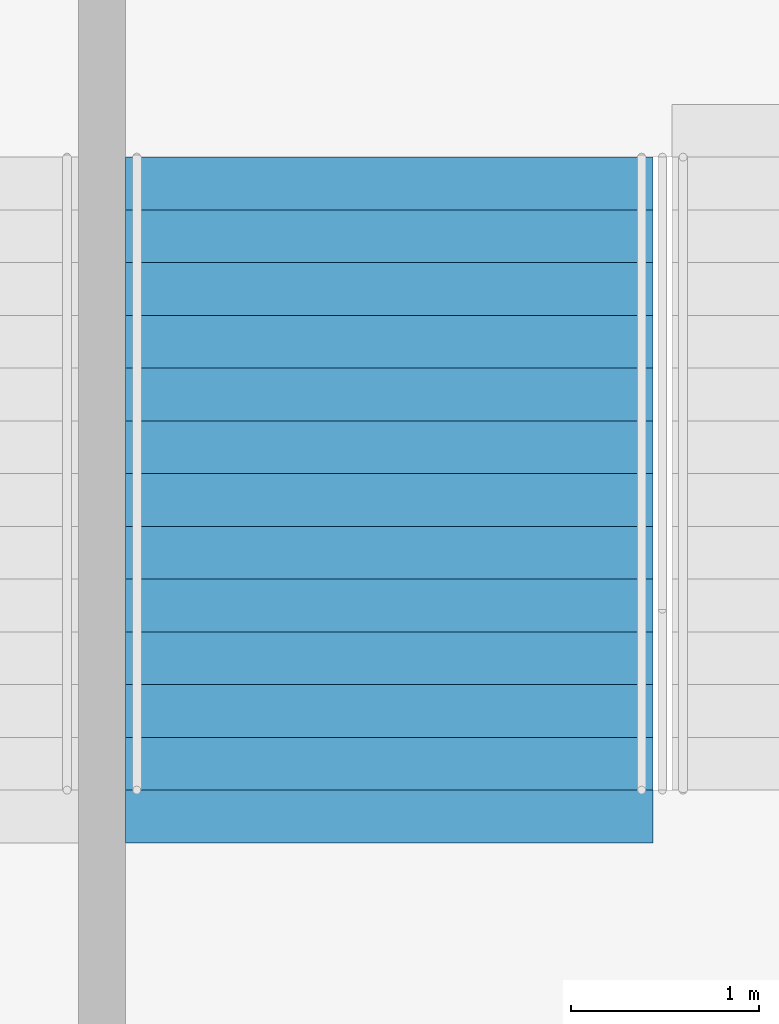
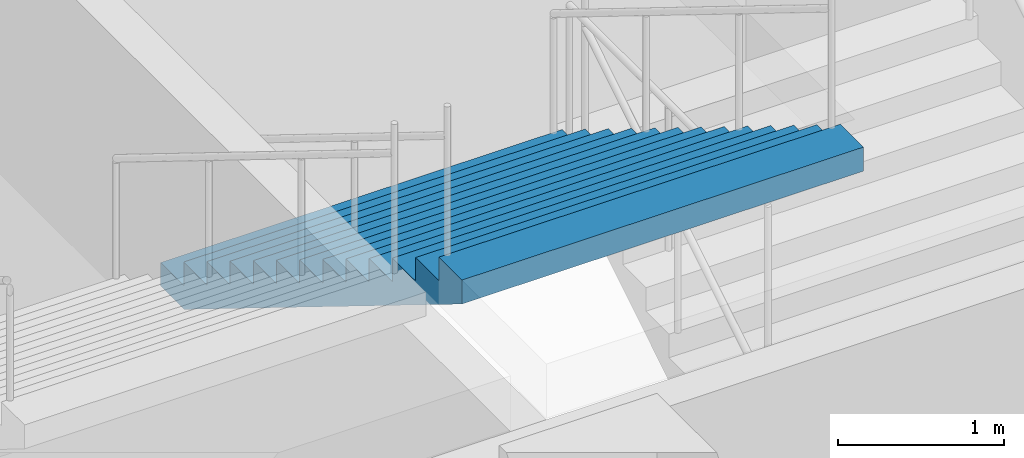
# One storey, part 172 of 199: 1 stair flight, 1 element without a shape of its own.
"""IFC4 building model written with IfcOpenShell, lengths in metres."""

from ifc_helpers import new_model, si_unit, direction, frame, origin, place, context, subcontext, project, spatial, faceted_brep, material, type_object, element, aggregate, save


model = new_model("IFC4")

# Units and contexts
model_context = context("Model", 3, precision=1e-05, world=origin(), true_north=direction((0.0, 1.0)))
body_context = subcontext(model_context, "Body", "Model", "MODEL_VIEW")
ifc_project = project(units=[si_unit("LENGTHUNIT", "METRE"), si_unit("AREAUNIT", "SQUARE_METRE"), si_unit("VOLUMEUNIT", "CUBIC_METRE"), si_unit("PLANEANGLEUNIT", "RADIAN"), si_unit("MASSUNIT", "GRAM", prefix="KILO")], contexts=[model_context])

# Site, building, storey
site_placement = place(None, origin())
site = spatial("IfcSite", under=ifc_project, at=site_placement, CompositionType="ELEMENT")
building_placement = place(site_placement, origin())
building = spatial("IfcBuilding", under=site, at=building_placement, Name="Ogive Plaza Stadium", CompositionType="ELEMENT")
storey_placement = place(building_placement, frame((0.0, 0.0, 4.5)))
storey = spatial("IfcBuildingStorey", under=building, at=storey_placement, Name="L01", CompositionType="ELEMENT", Elevation=4.5)

# Stair, stair flight
ifc_material_1 = material(Name="Concrete C40/50", Category="concrete")
stair_type = type_object("IfcStairType", Name="Exit stair", PredefinedType="STRAIGHT_RUN_STAIR", material=ifc_material_1)
stair_placement = place(storey_placement, origin())
stair = element("IfcStair", 1, at=stair_placement, inside=storey, type_object=stair_type, Name="Exit stair ST36A L01 to L02", PredefinedType="STRAIGHT_RUN_STAIR")
ifc_material_2 = material(Name="Concrete C40/50", Category="concrete")
stair_flight_type = type_object("IfcStairFlightType", Name="Exit stair flight", PredefinedType="STRAIGHT", material=ifc_material_2)
stair_flight_placement = place(storey_placement, frame((21.925048828125, 98.2099609375, 2.25), z_axis=(0.0, 0.0, 1.0), x_axis=(0.0, -1.0, 0.0)))
stair_flight = element("IfcStairFlight", 2, at=stair_flight_placement, type_object=stair_flight_type, Name="ST36A flight 2", NumberOfRisers=13, NumberOfTreads=12, PredefinedType="STRAIGHT", RiserHeight=0.173076923, TreadLength=0.28, context=body_context, shape_type="Brep", body=[
    faceted_brep([(0.28515625, -1.39990234375, 0.0), (3.639892578125, -1.39990234375, 2.07373046875), (3.639892578125, -1.39990234375, 2.25), (3.360107421875, -1.39990234375, 2.25), (3.360107421875, -1.39990234375, 2.076904296875), (3.080078125, -1.39990234375, 2.076904296875), (3.080078125, -1.39990234375, 1.90380859375), (2.800048828125, -1.39990234375, 1.90380859375), (2.800048828125, -1.39990234375, 1.730712890625), (2.52001953125, -1.39990234375, 1.730712890625), (2.52001953125, -1.39990234375, 1.5576171875), (2.239990234375, -1.39990234375, 1.5576171875), (2.239990234375, -1.39990234375, 1.384521484375), (1.9599609375, -1.39990234375, 1.384521484375), (1.9599609375, -1.39990234375, 1.21142578125), (1.679931640625, -1.39990234375, 1.21142578125), (1.679931640625, -1.39990234375, 1.03857421875), (1.39990234375, -1.39990234375, 1.03857421875), (1.39990234375, -1.39990234375, 0.865478515625), (1.1201171875, -1.39990234375, 0.865478515625), (1.1201171875, -1.39990234375, 0.6923828125), (0.840087890625, -1.39990234375, 0.6923828125), (0.840087890625, -1.39990234375, 0.519287109375), (0.56005859375, -1.39990234375, 0.519287109375), (0.56005859375, -1.39990234375, 0.34619140625), (0.280029296875, -1.39990234375, 0.34619140625), (0.280029296875, -1.39990234375, 0.173095703125), (0.0, -1.39990234375, 0.173095703125), (0.0, -1.39990234375, 0.0), (0.0, 1.39990234375, 0.0), (0.0, 1.39990234375, 0.173095703125), (0.280029296875, 1.39990234375, 0.173095703125), (0.280029296875, 1.39990234375, 0.34619140625), (0.56005859375, 1.39990234375, 0.34619140625), (0.56005859375, 1.39990234375, 0.519287109375), (0.840087890625, 1.39990234375, 0.519287109375), (0.840087890625, 1.39990234375, 0.6923828125), (1.1201171875, 1.39990234375, 0.6923828125), (1.1201171875, 1.39990234375, 0.865478515625), (1.39990234375, 1.39990234375, 0.865478515625), (1.39990234375, 1.39990234375, 1.03857421875), (1.679931640625, 1.39990234375, 1.03857421875), (1.679931640625, 1.39990234375, 1.21142578125), (1.9599609375, 1.39990234375, 1.21142578125), (1.9599609375, 1.39990234375, 1.384521484375), (2.239990234375, 1.39990234375, 1.384521484375), (2.239990234375, 1.39990234375, 1.5576171875), (2.52001953125, 1.39990234375, 1.5576171875), (2.52001953125, 1.39990234375, 1.730712890625), (2.800048828125, 1.39990234375, 1.730712890625), (2.800048828125, 1.39990234375, 1.90380859375), (3.080078125, 1.39990234375, 1.90380859375), (3.080078125, 1.39990234375, 2.076904296875), (3.360107421875, 1.39990234375, 2.076904296875), (3.360107421875, 1.39990234375, 2.25), (3.639892578125, 1.39990234375, 2.25), (3.639892578125, 1.39990234375, 2.07373046875), (0.28515625, 1.39990234375, 0.0), (0.28515625, -1.0888671875, 0.0), (3.639892578125, -1.0888671875, 2.07373046875), (0.28515625, -0.77783203125, 0.0), (3.639892578125, -0.77783203125, 2.07373046875), (0.28515625, -0.466796875, 0.0), (3.639892578125, -0.466796875, 2.07373046875), (0.28515625, -0.155517578125, 0.0), (3.639892578125, -0.155517578125, 2.07373046875), (0.28515625, 0.155517578125, 0.0), (3.639892578125, 0.155517578125, 2.07373046875), (0.28515625, 0.466796875, 0.0), (3.639892578125, 0.466796875, 2.07373046875), (0.28515625, 0.77783203125, 0.0), (3.639892578125, 0.77783203125, 2.07373046875), (0.28515625, 1.0888671875, 0.0), (3.639892578125, 1.0888671875, 2.07373046875), (3.639892578125, -1.0888671875, 2.25), (3.639892578125, -0.77783203125, 2.25), (3.639892578125, -0.466796875, 2.25), (3.639892578125, -0.155517578125, 2.25), (3.639892578125, 0.155517578125, 2.25), (3.639892578125, 0.466796875, 2.25), (3.639892578125, 0.77783203125, 2.25), (3.639892578125, 1.0888671875, 2.25), (3.360107421875, -1.0888671875, 2.25), (3.360107421875, -0.77783203125, 2.25), (3.360107421875, -0.466796875, 2.25), (3.360107421875, -0.155517578125, 2.25), (3.360107421875, 0.155517578125, 2.25), (3.360107421875, 0.466796875, 2.25), (3.360107421875, 0.77783203125, 2.25), (3.360107421875, 1.0888671875, 2.25), (3.360107421875, -1.0888671875, 2.076904296875), (3.360107421875, -0.77783203125, 2.076904296875), (3.360107421875, -0.466796875, 2.076904296875), (3.360107421875, -0.155517578125, 2.076904296875), (3.360107421875, 0.155517578125, 2.076904296875), (3.360107421875, 0.466796875, 2.076904296875), (3.360107421875, 0.77783203125, 2.076904296875), (3.360107421875, 1.0888671875, 2.076904296875), (3.080078125, -1.0888671875, 2.076904296875), (3.080078125, -0.77783203125, 2.076904296875), (3.080078125, -0.466796875, 2.076904296875), (3.080078125, -0.155517578125, 2.076904296875), (3.080078125, 0.155517578125, 2.076904296875), (3.080078125, 0.466796875, 2.076904296875), (3.080078125, 0.77783203125, 2.076904296875), (3.080078125, 1.0888671875, 2.076904296875), (3.080078125, -1.0888671875, 1.90380859375), (3.080078125, -0.77783203125, 1.90380859375), (3.080078125, -0.466796875, 1.90380859375), (3.080078125, -0.155517578125, 1.90380859375), (3.080078125, 0.155517578125, 1.90380859375), (3.080078125, 0.466796875, 1.90380859375), (3.080078125, 0.77783203125, 1.90380859375), (3.080078125, 1.0888671875, 1.90380859375), (2.800048828125, -1.0888671875, 1.90380859375), (2.800048828125, -0.77783203125, 1.90380859375), (2.800048828125, -0.466796875, 1.90380859375), (2.800048828125, -0.155517578125, 1.90380859375), (2.800048828125, 0.155517578125, 1.90380859375), (2.800048828125, 0.466796875, 1.90380859375), (2.800048828125, 0.77783203125, 1.90380859375), (2.800048828125, 1.0888671875, 1.90380859375), (2.800048828125, -1.0888671875, 1.730712890625), (2.800048828125, -0.77783203125, 1.730712890625), (2.800048828125, -0.466796875, 1.730712890625), (2.800048828125, -0.155517578125, 1.730712890625), (2.800048828125, 0.155517578125, 1.730712890625), (2.800048828125, 0.466796875, 1.730712890625), (2.800048828125, 0.77783203125, 1.730712890625), (2.800048828125, 1.0888671875, 1.730712890625), (2.52001953125, -1.0888671875, 1.730712890625), (2.52001953125, -0.77783203125, 1.730712890625), (2.52001953125, -0.466796875, 1.730712890625), (2.52001953125, -0.155517578125, 1.730712890625), (2.52001953125, 0.155517578125, 1.730712890625), (2.52001953125, 0.466796875, 1.730712890625), (2.52001953125, 0.77783203125, 1.730712890625), (2.52001953125, 1.0888671875, 1.730712890625), (2.52001953125, -1.0888671875, 1.5576171875), (2.52001953125, -0.77783203125, 1.5576171875), (2.52001953125, -0.466796875, 1.5576171875), (2.52001953125, -0.155517578125, 1.5576171875), (2.52001953125, 0.155517578125, 1.5576171875), (2.52001953125, 0.466796875, 1.5576171875), (2.52001953125, 0.77783203125, 1.5576171875), (2.52001953125, 1.0888671875, 1.5576171875), (2.239990234375, -1.0888671875, 1.5576171875), (2.239990234375, -0.77783203125, 1.5576171875), (2.239990234375, -0.466796875, 1.5576171875), (2.239990234375, -0.155517578125, 1.5576171875), (2.239990234375, 0.155517578125, 1.5576171875), (2.239990234375, 0.466796875, 1.5576171875), (2.239990234375, 0.77783203125, 1.5576171875), (2.239990234375, 1.0888671875, 1.5576171875), (2.239990234375, -1.0888671875, 1.384521484375), (2.239990234375, -0.77783203125, 1.384521484375), (2.239990234375, -0.466796875, 1.384521484375), (2.239990234375, -0.155517578125, 1.384521484375), (2.239990234375, 0.155517578125, 1.384521484375), (2.239990234375, 0.466796875, 1.384521484375), (2.239990234375, 0.77783203125, 1.384521484375), (2.239990234375, 1.0888671875, 1.384521484375), (1.9599609375, -1.0888671875, 1.384521484375), (1.9599609375, -0.77783203125, 1.384521484375), (1.9599609375, -0.466796875, 1.384521484375), (1.9599609375, -0.155517578125, 1.384521484375), (1.9599609375, 0.155517578125, 1.384521484375), (1.9599609375, 0.466796875, 1.384521484375), (1.9599609375, 0.77783203125, 1.384521484375), (1.9599609375, 1.0888671875, 1.384521484375), (1.9599609375, -1.0888671875, 1.21142578125), (1.9599609375, -0.77783203125, 1.21142578125), (1.9599609375, -0.466796875, 1.21142578125), (1.9599609375, -0.155517578125, 1.21142578125), (1.9599609375, 0.155517578125, 1.21142578125), (1.9599609375, 0.466796875, 1.21142578125), (1.9599609375, 0.77783203125, 1.21142578125), (1.9599609375, 1.0888671875, 1.21142578125), (1.679931640625, -1.0888671875, 1.21142578125), (1.679931640625, -0.77783203125, 1.21142578125), (1.679931640625, -0.466796875, 1.21142578125), (1.679931640625, -0.155517578125, 1.21142578125), (1.679931640625, 0.155517578125, 1.21142578125), (1.679931640625, 0.466796875, 1.21142578125), (1.679931640625, 0.77783203125, 1.21142578125), (1.679931640625, 1.0888671875, 1.21142578125), (1.679931640625, -1.0888671875, 1.03857421875), (1.679931640625, -0.77783203125, 1.03857421875), (1.679931640625, -0.466796875, 1.03857421875), (1.679931640625, -0.155517578125, 1.03857421875), (1.679931640625, 0.155517578125, 1.03857421875), (1.679931640625, 0.466796875, 1.03857421875), (1.679931640625, 0.77783203125, 1.03857421875), (1.679931640625, 1.0888671875, 1.03857421875), (1.39990234375, -1.0888671875, 1.03857421875), (1.39990234375, -0.77783203125, 1.03857421875), (1.39990234375, -0.466796875, 1.03857421875), (1.39990234375, -0.155517578125, 1.03857421875), (1.39990234375, 0.155517578125, 1.03857421875), (1.39990234375, 0.466796875, 1.03857421875), (1.39990234375, 0.77783203125, 1.03857421875), (1.39990234375, 1.0888671875, 1.03857421875), (1.39990234375, -1.0888671875, 0.865478515625), (1.39990234375, -0.77783203125, 0.865478515625), (1.39990234375, -0.466796875, 0.865478515625), (1.39990234375, -0.155517578125, 0.865478515625), (1.39990234375, 0.155517578125, 0.865478515625), (1.39990234375, 0.466796875, 0.865478515625), (1.39990234375, 0.77783203125, 0.865478515625), (1.39990234375, 1.0888671875, 0.865478515625), (1.1201171875, -1.0888671875, 0.865478515625), (1.1201171875, -0.77783203125, 0.865478515625), (1.1201171875, -0.466796875, 0.865478515625), (1.1201171875, -0.155517578125, 0.865478515625), (1.1201171875, 0.155517578125, 0.865478515625), (1.1201171875, 0.466796875, 0.865478515625), (1.1201171875, 0.77783203125, 0.865478515625), (1.1201171875, 1.0888671875, 0.865478515625), (1.1201171875, -1.0888671875, 0.6923828125), (1.1201171875, -0.77783203125, 0.6923828125), (1.1201171875, -0.466796875, 0.6923828125), (1.1201171875, -0.155517578125, 0.6923828125), (1.1201171875, 0.155517578125, 0.6923828125), (1.1201171875, 0.466796875, 0.6923828125), (1.1201171875, 0.77783203125, 0.6923828125), (1.1201171875, 1.0888671875, 0.6923828125), (0.840087890625, -1.0888671875, 0.6923828125), (0.840087890625, -0.77783203125, 0.6923828125), (0.840087890625, -0.466796875, 0.6923828125), (0.840087890625, -0.155517578125, 0.6923828125), (0.840087890625, 0.155517578125, 0.6923828125), (0.840087890625, 0.466796875, 0.6923828125), (0.840087890625, 0.77783203125, 0.6923828125), (0.840087890625, 1.0888671875, 0.6923828125), (0.840087890625, -1.0888671875, 0.519287109375), (0.840087890625, -0.77783203125, 0.519287109375), (0.840087890625, -0.466796875, 0.519287109375), (0.840087890625, -0.155517578125, 0.519287109375), (0.840087890625, 0.155517578125, 0.519287109375), (0.840087890625, 0.466796875, 0.519287109375), (0.840087890625, 0.77783203125, 0.519287109375), (0.840087890625, 1.0888671875, 0.519287109375), (0.56005859375, -1.0888671875, 0.519287109375), (0.56005859375, -0.77783203125, 0.519287109375), (0.56005859375, -0.466796875, 0.519287109375), (0.56005859375, -0.155517578125, 0.519287109375), (0.56005859375, 0.155517578125, 0.519287109375), (0.56005859375, 0.466796875, 0.519287109375), (0.56005859375, 0.77783203125, 0.519287109375), (0.56005859375, 1.0888671875, 0.519287109375), (0.56005859375, -1.0888671875, 0.34619140625), (0.56005859375, -0.77783203125, 0.34619140625), (0.56005859375, -0.466796875, 0.34619140625), (0.56005859375, -0.155517578125, 0.34619140625), (0.56005859375, 0.155517578125, 0.34619140625), (0.56005859375, 0.466796875, 0.34619140625), (0.56005859375, 0.77783203125, 0.34619140625), (0.56005859375, 1.0888671875, 0.34619140625), (0.280029296875, -1.0888671875, 0.34619140625), (0.280029296875, -0.77783203125, 0.34619140625), (0.280029296875, -0.466796875, 0.34619140625), (0.280029296875, -0.155517578125, 0.34619140625), (0.280029296875, 0.155517578125, 0.34619140625), (0.280029296875, 0.466796875, 0.34619140625), (0.280029296875, 0.77783203125, 0.34619140625), (0.280029296875, 1.0888671875, 0.34619140625), (0.280029296875, -1.0888671875, 0.173095703125), (0.280029296875, -0.77783203125, 0.173095703125), (0.280029296875, -0.466796875, 0.173095703125), (0.280029296875, -0.155517578125, 0.173095703125), (0.280029296875, 0.155517578125, 0.173095703125), (0.280029296875, 0.466796875, 0.173095703125), (0.280029296875, 0.77783203125, 0.173095703125), (0.280029296875, 1.0888671875, 0.173095703125), (0.0, -1.0888671875, 0.173095703125), (0.0, -0.77783203125, 0.173095703125), (0.0, -0.466796875, 0.173095703125), (0.0, -0.155517578125, 0.173095703125), (0.0, 0.155517578125, 0.173095703125), (0.0, 0.466796875, 0.173095703125), (0.0, 0.77783203125, 0.173095703125), (0.0, 1.0888671875, 0.173095703125), (0.0, -1.0888671875, 0.0), (0.0, -0.77783203125, 0.0), (0.0, -0.466796875, 0.0), (0.0, -0.155517578125, 0.0), (0.0, 0.155517578125, 0.0), (0.0, 0.466796875, 0.0), (0.0, 0.77783203125, 0.0), (0.0, 1.0888671875, 0.0)], [[[0, 1, 2, 3, 4, 5, 6, 7, 8, 9, 10, 11, 12, 13, 14, 15, 16, 17, 18, 19, 20, 21, 22, 23, 24, 25, 26, 27, 28]], [[29, 30, 31, 32, 33, 34, 35, 36, 37, 38, 39, 40, 41, 42, 43, 44, 45, 46, 47, 48, 49, 50, 51, 52, 53, 54, 55, 56, 57]], [[0, 58, 59, 1]], [[58, 60, 61, 59]], [[60, 62, 63, 61]], [[62, 64, 65, 63]], [[64, 66, 67, 65]], [[66, 68, 69, 67]], [[68, 70, 71, 69]], [[70, 72, 73, 71]], [[72, 57, 56, 73]], [[1, 59, 74, 2]], [[59, 61, 75, 74]], [[61, 63, 76, 75]], [[63, 65, 77, 76]], [[65, 67, 78, 77]], [[67, 69, 79, 78]], [[69, 71, 80, 79]], [[71, 73, 81, 80]], [[73, 56, 55, 81]], [[2, 74, 82, 3]], [[74, 75, 83, 82]], [[75, 76, 84, 83]], [[76, 77, 85, 84]], [[77, 78, 86, 85]], [[78, 79, 87, 86]], [[79, 80, 88, 87]], [[80, 81, 89, 88]], [[81, 55, 54, 89]], [[3, 82, 90, 4]], [[82, 83, 91, 90]], [[83, 84, 92, 91]], [[84, 85, 93, 92]], [[85, 86, 94, 93]], [[86, 87, 95, 94]], [[87, 88, 96, 95]], [[88, 89, 97, 96]], [[89, 54, 53, 97]], [[4, 90, 98, 5]], [[90, 91, 99, 98]], [[91, 92, 100, 99]], [[92, 93, 101, 100]], [[93, 94, 102, 101]], [[94, 95, 103, 102]], [[95, 96, 104, 103]], [[96, 97, 105, 104]], [[97, 53, 52, 105]], [[5, 98, 106, 6]], [[98, 99, 107, 106]], [[99, 100, 108, 107]], [[100, 101, 109, 108]], [[101, 102, 110, 109]], [[102, 103, 111, 110]], [[103, 104, 112, 111]], [[104, 105, 113, 112]], [[105, 52, 51, 113]], [[6, 106, 114, 7]], [[106, 107, 115, 114]], [[107, 108, 116, 115]], [[108, 109, 117, 116]], [[109, 110, 118, 117]], [[110, 111, 119, 118]], [[111, 112, 120, 119]], [[112, 113, 121, 120]], [[113, 51, 50, 121]], [[7, 114, 122, 8]], [[114, 115, 123, 122]], [[115, 116, 124, 123]], [[116, 117, 125, 124]], [[117, 118, 126, 125]], [[118, 119, 127, 126]], [[119, 120, 128, 127]], [[120, 121, 129, 128]], [[121, 50, 49, 129]], [[8, 122, 130, 9]], [[122, 123, 131, 130]], [[123, 124, 132, 131]], [[124, 125, 133, 132]], [[125, 126, 134, 133]], [[126, 127, 135, 134]], [[127, 128, 136, 135]], [[128, 129, 137, 136]], [[129, 49, 48, 137]], [[9, 130, 138, 10]], [[130, 131, 139, 138]], [[131, 132, 140, 139]], [[132, 133, 141, 140]], [[133, 134, 142, 141]], [[134, 135, 143, 142]], [[135, 136, 144, 143]], [[136, 137, 145, 144]], [[137, 48, 47, 145]], [[10, 138, 146, 11]], [[138, 139, 147, 146]], [[139, 140, 148, 147]], [[140, 141, 149, 148]], [[141, 142, 150, 149]], [[142, 143, 151, 150]], [[143, 144, 152, 151]], [[144, 145, 153, 152]], [[145, 47, 46, 153]], [[11, 146, 154, 12]], [[146, 147, 155, 154]], [[147, 148, 156, 155]], [[148, 149, 157, 156]], [[149, 150, 158, 157]], [[150, 151, 159, 158]], [[151, 152, 160, 159]], [[152, 153, 161, 160]], [[153, 46, 45, 161]], [[12, 154, 162, 13]], [[154, 155, 163, 162]], [[155, 156, 164, 163]], [[156, 157, 165, 164]], [[157, 158, 166, 165]], [[158, 159, 167, 166]], [[159, 160, 168, 167]], [[160, 161, 169, 168]], [[161, 45, 44, 169]], [[13, 162, 170, 14]], [[162, 163, 171, 170]], [[163, 164, 172, 171]], [[164, 165, 173, 172]], [[165, 166, 174, 173]], [[166, 167, 175, 174]], [[167, 168, 176, 175]], [[168, 169, 177, 176]], [[169, 44, 43, 177]], [[14, 170, 178, 15]], [[170, 171, 179, 178]], [[171, 172, 180, 179]], [[172, 173, 181, 180]], [[173, 174, 182, 181]], [[174, 175, 183, 182]], [[175, 176, 184, 183]], [[176, 177, 185, 184]], [[177, 43, 42, 185]], [[15, 178, 186, 16]], [[178, 179, 187, 186]], [[179, 180, 188, 187]], [[180, 181, 189, 188]], [[181, 182, 190, 189]], [[182, 183, 191, 190]], [[183, 184, 192, 191]], [[184, 185, 193, 192]], [[185, 42, 41, 193]], [[16, 186, 194, 17]], [[186, 187, 195, 194]], [[187, 188, 196, 195]], [[188, 189, 197, 196]], [[189, 190, 198, 197]], [[190, 191, 199, 198]], [[191, 192, 200, 199]], [[192, 193, 201, 200]], [[193, 41, 40, 201]], [[17, 194, 202, 18]], [[194, 195, 203, 202]], [[195, 196, 204, 203]], [[196, 197, 205, 204]], [[197, 198, 206, 205]], [[198, 199, 207, 206]], [[199, 200, 208, 207]], [[200, 201, 209, 208]], [[201, 40, 39, 209]], [[18, 202, 210, 19]], [[202, 203, 211, 210]], [[203, 204, 212, 211]], [[204, 205, 213, 212]], [[205, 206, 214, 213]], [[206, 207, 215, 214]], [[207, 208, 216, 215]], [[208, 209, 217, 216]], [[209, 39, 38, 217]], [[19, 210, 218, 20]], [[210, 211, 219, 218]], [[211, 212, 220, 219]], [[212, 213, 221, 220]], [[213, 214, 222, 221]], [[214, 215, 223, 222]], [[215, 216, 224, 223]], [[216, 217, 225, 224]], [[217, 38, 37, 225]], [[20, 218, 226, 21]], [[218, 219, 227, 226]], [[219, 220, 228, 227]], [[220, 221, 229, 228]], [[221, 222, 230, 229]], [[222, 223, 231, 230]], [[223, 224, 232, 231]], [[224, 225, 233, 232]], [[225, 37, 36, 233]], [[21, 226, 234, 22]], [[226, 227, 235, 234]], [[227, 228, 236, 235]], [[228, 229, 237, 236]], [[229, 230, 238, 237]], [[230, 231, 239, 238]], [[231, 232, 240, 239]], [[232, 233, 241, 240]], [[233, 36, 35, 241]], [[22, 234, 242, 23]], [[234, 235, 243, 242]], [[235, 236, 244, 243]], [[236, 237, 245, 244]], [[237, 238, 246, 245]], [[238, 239, 247, 246]], [[239, 240, 248, 247]], [[240, 241, 249, 248]], [[241, 35, 34, 249]], [[23, 242, 250, 24]], [[242, 243, 251, 250]], [[243, 244, 252, 251]], [[244, 245, 253, 252]], [[245, 246, 254, 253]], [[246, 247, 255, 254]], [[247, 248, 256, 255]], [[248, 249, 257, 256]], [[249, 34, 33, 257]], [[24, 250, 258, 25]], [[250, 251, 259, 258]], [[251, 252, 260, 259]], [[252, 253, 261, 260]], [[253, 254, 262, 261]], [[254, 255, 263, 262]], [[255, 256, 264, 263]], [[256, 257, 265, 264]], [[257, 33, 32, 265]], [[25, 258, 266, 26]], [[258, 259, 267, 266]], [[259, 260, 268, 267]], [[260, 261, 269, 268]], [[261, 262, 270, 269]], [[262, 263, 271, 270]], [[263, 264, 272, 271]], [[264, 265, 273, 272]], [[265, 32, 31, 273]], [[26, 266, 274, 27]], [[266, 267, 275, 274]], [[267, 268, 276, 275]], [[268, 269, 277, 276]], [[269, 270, 278, 277]], [[270, 271, 279, 278]], [[271, 272, 280, 279]], [[272, 273, 281, 280]], [[273, 31, 30, 281]], [[27, 274, 282, 28]], [[274, 275, 283, 282]], [[275, 276, 284, 283]], [[276, 277, 285, 284]], [[277, 278, 286, 285]], [[278, 279, 287, 286]], [[279, 280, 288, 287]], [[280, 281, 289, 288]], [[281, 30, 29, 289]], [[28, 282, 58, 0]], [[282, 283, 60, 58]], [[283, 284, 62, 60]], [[284, 285, 64, 62]], [[285, 286, 66, 64]], [[286, 287, 68, 66]], [[287, 288, 70, 68]], [[288, 289, 72, 70]], [[289, 29, 57, 72]]]),
])
aggregate(stair, [stair_flight])

save(model, "model.ifc")
